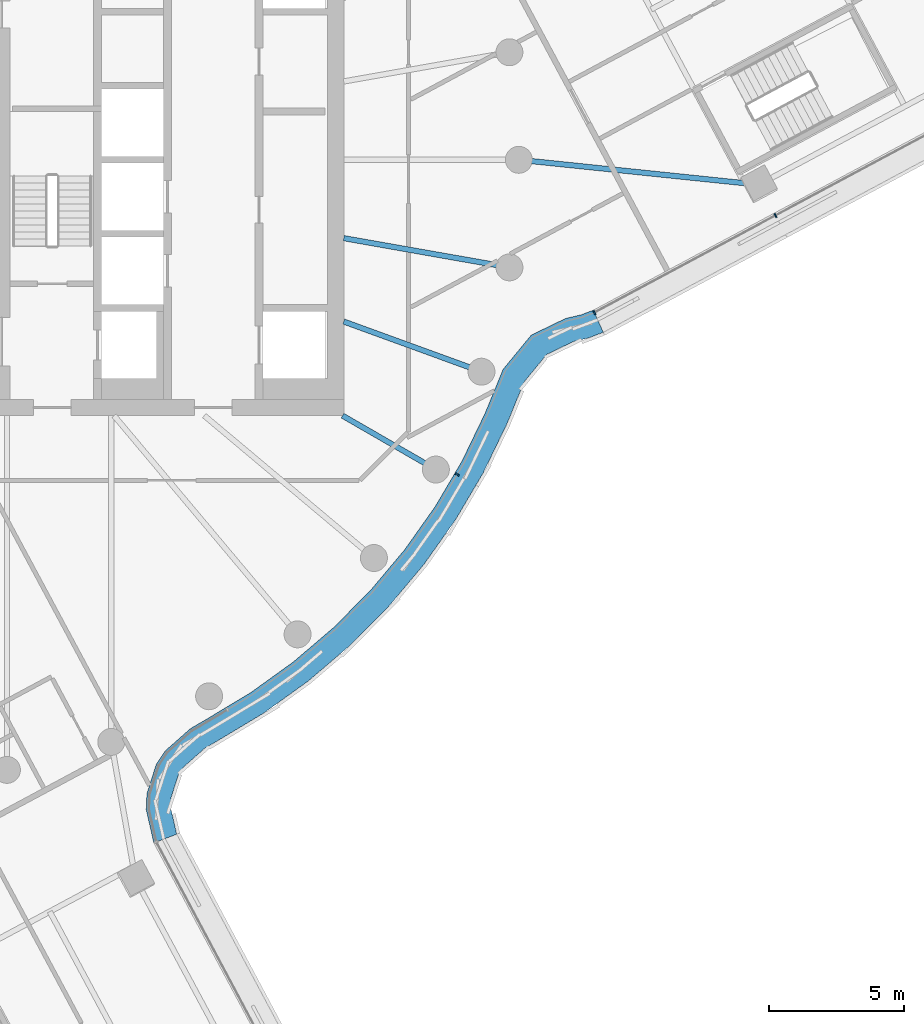
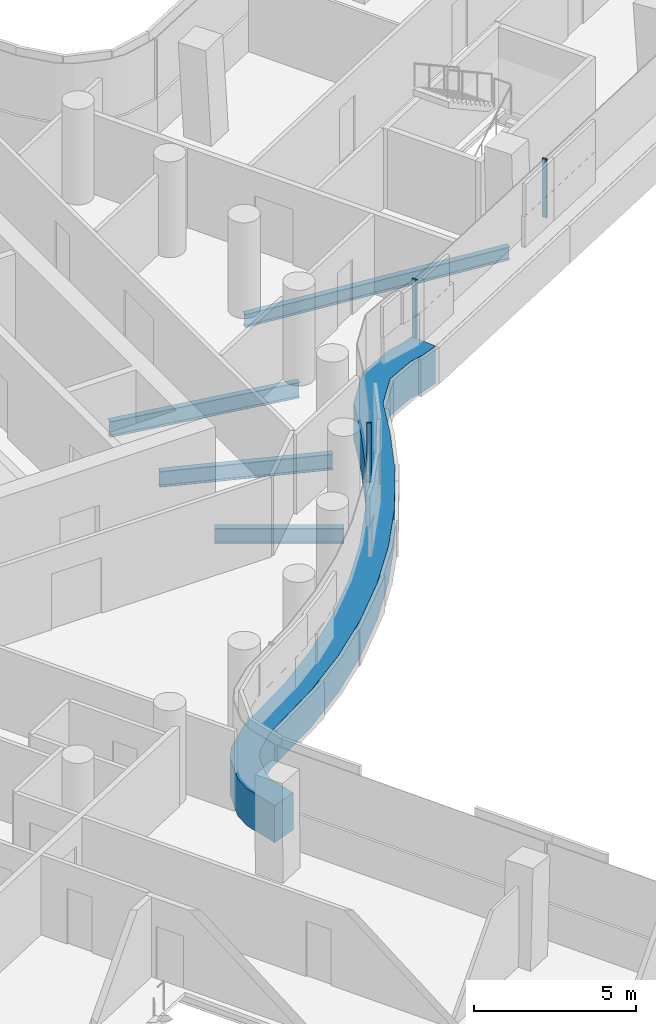
# One storey, part 10 of 33: 4 beams, 4 members, 2 elements without a shape of their own.
"""IFC4 building model written with IfcOpenShell, lengths in metres."""

from ifc_helpers import new_model, si_unit, direction, frame, origin, origin_2d, place, context, subcontext, project, spatial, polyline, rectangle, i_section, outline, extrude, material, layer, layer_set, material_profile, profile_set, type_object, element, aggregate, save


model = new_model("IFC4")

# Units and contexts
model_context = context("Model", 3, precision=1e-05, world=origin(), true_north=direction((0.0, 1.0)))
body_context = subcontext(model_context, "Body", "Model", "MODEL_VIEW")
ifc_project = project(units=[si_unit("LENGTHUNIT", "METRE"), si_unit("AREAUNIT", "SQUARE_METRE"), si_unit("VOLUMEUNIT", "CUBIC_METRE"), si_unit("PLANEANGLEUNIT", "RADIAN"), si_unit("MASSUNIT", "GRAM", prefix="KILO")], contexts=[model_context])

# Site, building, storey
site_placement = place(None, origin())
site = spatial("IfcSite", under=ifc_project, at=site_placement, CompositionType="ELEMENT")
building_placement = place(site_placement, origin())
building = spatial("IfcBuilding", under=site, at=building_placement, Name="Tamarind Cross Interchange Tower", CompositionType="ELEMENT")
storey_placement = place(building_placement, frame((0.0, 0.0, 136.75)))
storey = spatial("IfcBuildingStorey", under=building, at=storey_placement, Name="L33", CompositionType="ELEMENT", Elevation=136.75)

# Beams
ifc_material_1 = material(Name="Steel Q355B", Category="steel")
ifc_material_profile_1 = material_profile(ifc_material_1, i_section(OverallWidth=0.198974609375, OverallDepth=0.49609375, WebThickness=0.009033203125, FlangeThickness=0.013916015625, FilletRadius=0.012939453125, at=origin_2d()), Name="HN 496x199x9x14")
ifc_profile_set_1 = profile_set([ifc_material_profile_1], Name="Steel Q355B")
beam_type_1 = type_object("IfcBeamType", Name="Composite beam HN 496x199x9x14 Q355B", PredefinedType="BEAM", material=ifc_profile_set_1)
beam_1_placement = place(storey_placement, frame((31.9140625, -0.92333984375, -0.387939453125), z_axis=(-0.994678131771, 0.103031132076, 0.0), x_axis=(-0.103031132076, -0.994678131771, 0.0)))
element("IfcBeam", 1, at=beam_1_placement, inside=storey, type_object=beam_type_1, Name="Beam E-linkem", PredefinedType="BEAM", context=body_context, shape_type="SweptSolid", body=[
    extrude(i_section(OverallWidth=0.198974609375, OverallDepth=0.49609375, WebThickness=0.009033203125, FlangeThickness=0.013916015625, FilletRadius=0.012939453125, at=origin_2d()), origin(), (0.0, 0.0, 1.0), 8.961669921875),
])
ifc_material_profile_2 = material_profile(ifc_material_1, i_section(OverallWidth=0.198974609375, OverallDepth=0.595947265625, WebThickness=0.010009765625, FlangeThickness=0.014892578125, FilletRadius=0.012939453125, at=origin_2d()), Name="HN 596x199x10x15")
ifc_profile_set_2 = profile_set([ifc_material_profile_2], Name="Steel Q355B")
beam_type_2 = type_object("IfcBeamType", Name="Composite beam HN 596x199x10x15 Q355B", PredefinedType="BEAM", material=ifc_profile_set_2)
beam_2_placement = place(storey_placement, frame((19.918701171875, -11.5, -0.43798828125), z_axis=(-0.866026010844, 0.49999894854, 0.0), x_axis=(-0.49999894854, -0.866026010844, 0.0)))
element("IfcBeam", 2, at=beam_2_placement, inside=storey, type_object=beam_type_2, Name="Beam HH33", PredefinedType="BEAM", context=body_context, shape_type="SweptSolid", body=[
    extrude(i_section(OverallWidth=0.198974609375, OverallDepth=0.595947265625, WebThickness=0.010009765625, FlangeThickness=0.014892578125, FilletRadius=0.012939453125, at=origin_2d()), origin(), (0.0, 0.0, 1.0), 4.0),
])
beam_3_placement = place(storey_placement, frame((21.613037109375, -7.866455078125, -0.43798828125), z_axis=(-0.939701685589, 0.341995236956, 0.0), x_axis=(-0.341995236956, -0.939701685589, 0.0)))
element("IfcBeam", 3, at=beam_3_placement, inside=storey, type_object=beam_type_2, Name="Beam HH34", PredefinedType="BEAM", context=body_context, shape_type="SweptSolid", body=[
    extrude(i_section(OverallWidth=0.198974609375, OverallDepth=0.595947265625, WebThickness=0.010009765625, FlangeThickness=0.014892578125, FilletRadius=0.012939453125, at=origin_2d()), origin(), (0.0, 0.0, 1.0), 5.441162109375),
])
beam_4_placement = place(storey_placement, frame((22.650634765625, -3.993896484375, -0.43798828125), z_axis=(-0.984809127561, 0.173640382036, 0.0), x_axis=(-0.173640382036, -0.984809127561, 0.0)))
element("IfcBeam", 4, at=beam_4_placement, inside=storey, type_object=beam_type_2, Name="Beam HH35", PredefinedType="BEAM", context=body_context, shape_type="SweptSolid", body=[
    extrude(i_section(OverallWidth=0.198974609375, OverallDepth=0.595947265625, WebThickness=0.010009765625, FlangeThickness=0.014892578125, FilletRadius=0.012939453125, at=origin_2d()), origin(), (0.0, 0.0, 1.0), 6.24560546875),
])

# Curtain wall, members
ifc_material_2 = material(Name="Aluminium 6063-T6", Category="aluminium")
ifc_layer = layer(ifc_material_2, 0.159912109375)
ifc_layer_set = layer_set([ifc_layer], Name="Aluminium 6063-T6")
curtain_wall_type = type_object("IfcCurtainWallType", Name="Office curtain wall, 9.0 m bays", PredefinedType="NOTDEFINED", material=ifc_layer_set)
curtain_wall_1_placement = place(storey_placement, origin())
curtain_wall_1 = element("IfcCurtainWall", 5, at=curtain_wall_1_placement, inside=storey, type_object=curtain_wall_type, Name="CWS-L33-10", PredefinedType="NOTDEFINED")
ifc_material_3 = material(Name="Aluminium and insulated spandrel panel", Category="aluminium")
member_type_1 = type_object("IfcMemberType", Name="Floor-edge blade transom", PredefinedType="USERDEFINED", material=ifc_material_3)
member_1_placement = place(storey_placement, origin())
member_1 = element("IfcMember", 6, at=member_1_placement, type_object=member_type_1, Name="CWT-L33-10", ObjectType="TRANSOM", PredefinedType="USERDEFINED", context=body_context, shape_type="SweptSolid", body=[
    extrude(outline(polyline([(9.446044921875, -25.3603515625), (9.16455078125, -24.126220703125), (9.19091796875, -23.52587890625), (9.537841796875, -22.449462890625), (9.8671875, -21.94677734375), (10.80859375, -21.116455078125), (11.358642578125, -20.79638671875), (13.045654296875, -19.78125), (14.634521484375, -18.636474609375), (16.12353515625, -17.3642578125), (17.50244140625, -15.973388671875), (18.76171875, -14.4736328125), (19.892822265625, -12.874755859375), (20.88818359375, -11.188232421875), (21.741943359375, -9.422119140625), (22.415283203125, -7.778564453125), (23.461181640625, -6.505615234375), (24.732177734375, -5.890869140625), (25.31298828125, -5.75439453125), (25.764404296875, -5.583740234375), (26.137939453125, -6.40478515625), (25.575927734375, -6.6171875), (25.03466796875, -6.744140625), (24.031005859375, -7.229736328125), (23.19677734375, -8.2451171875), (22.564453125, -9.788818359375), (21.68212890625, -11.613525390625), (20.64892578125, -13.3642578125), (19.474853515625, -15.023681640625), (18.167724609375, -16.580810546875), (16.736572265625, -18.0244140625), (15.19091796875, -19.344970703125), (13.54150390625, -20.533203125), (11.817138671875, -21.57080078125), (11.337646484375, -21.849853515625), (10.553466796875, -22.54150390625), (10.357177734375, -22.84130859375), (10.084716796875, -23.6865234375), (10.069091796875, -24.04443359375), (10.296875, -25.04296875), (9.446044921875, -25.3603515625)])), origin(), (0.0, 0.0, 1.0), 1.39990234375),
])
ifc_material_profile_3 = material_profile(ifc_material_2, rectangle(XDim=0.06005859375, YDim=0.159912109375, at=origin_2d()), Name="Mullion CW1")
ifc_profile_set_3 = profile_set([ifc_material_profile_3], Name="Aluminium 6063-T6")
member_type_2 = type_object("IfcMemberType", Name="Mullion CW1", PredefinedType="MULLION", material=ifc_profile_set_3)
member_2_placement = place(storey_placement, frame((20.7119140625, -11.683349609375, 1.39990234375), z_axis=(0.0, 0.0, 1.0), x_axis=(0.508183308752, 0.861248933065, 0.0)))
member_2 = element("IfcMember", 7, at=member_2_placement, type_object=member_type_2, Name="CWM-L33-10-02", PredefinedType="MULLION", context=body_context, shape_type="SweptSolid", body=[
    extrude(rectangle(XDim=0.06005859375, YDim=0.159912109375, at=origin_2d()), origin(), (0.0, 0.0, 1.0), 2.210205078125),
])
aggregate(curtain_wall_1, [member_2, member_1])

curtain_wall_2_placement = place(storey_placement, origin())
curtain_wall_2 = element("IfcCurtainWall", 8, at=curtain_wall_2_placement, inside=storey, type_object=curtain_wall_type, Name="CWS-L33-11", PredefinedType="NOTDEFINED")
member_3_placement = place(storey_placement, frame((25.805908203125, -5.675048828125, 1.39990234375), z_axis=(0.0, 0.0, 1.0), x_axis=(0.910253450247, 0.414051514082, 0.0)))
member_3 = element("IfcMember", 9, at=member_3_placement, type_object=member_type_2, Name="CWM-L33-11-00", PredefinedType="MULLION", context=body_context, shape_type="SweptSolid", body=[
    extrude(rectangle(XDim=0.06005859375, YDim=0.159912109375, at=origin_2d()), origin(), (0.0, 0.0, 1.0), 2.210205078125),
])
member_4_placement = place(storey_placement, frame((32.529541015625, -2.068359375, 1.39990234375), z_axis=(0.0, 0.0, 1.0), x_axis=(0.881224263054, 0.472698422046, 0.0)))
member_4 = element("IfcMember", 10, at=member_4_placement, type_object=member_type_2, Name="CWM-L33-11-01", PredefinedType="MULLION", context=body_context, shape_type="SweptSolid", body=[
    extrude(rectangle(XDim=0.06005859375, YDim=0.159912109375, at=origin_2d()), origin(), (0.0, 0.0, 1.0), 2.210205078125),
])
aggregate(curtain_wall_2, [member_3, member_4])

save(model, "model.ifc")
